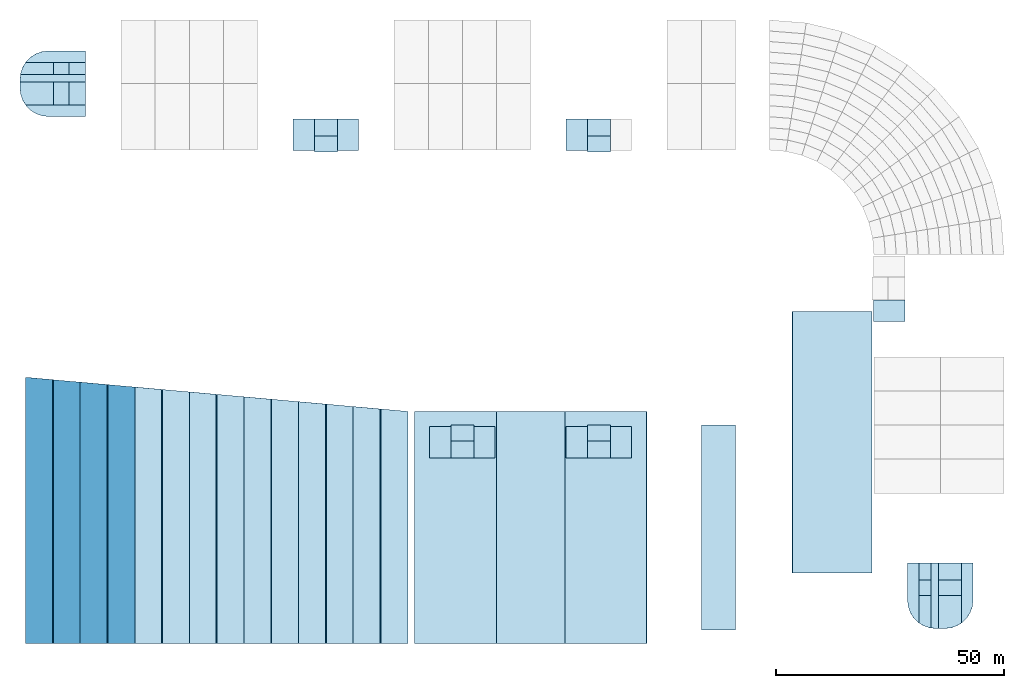
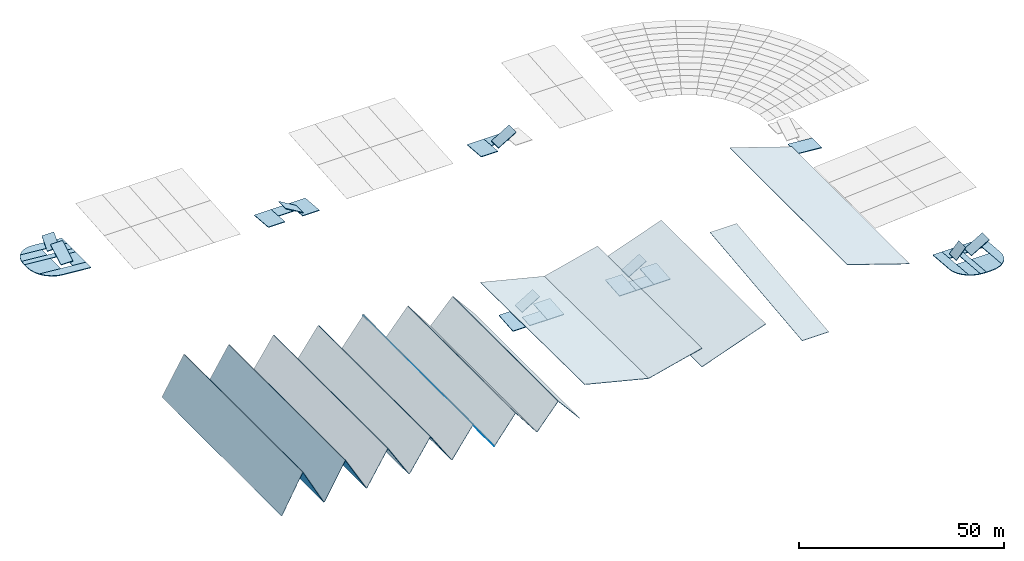
# One storey, part 1 of 6: 53 slabs.
"""IFC4 building model written with IfcOpenShell, lengths in metres."""

from ifc_helpers import new_model, si_unit, direction, frame, origin, place, context, subcontext, project, spatial, polyline, outline, extrude, material, layer, layer_set, type_object, element, save


model = new_model("IFC4")

# Units and contexts
model_context = context("Model", 3, precision=1e-05, world=origin(), true_north=direction((0.0, 1.0)))
body_context = subcontext(model_context, "Body", "Model", "MODEL_VIEW")
ifc_project = project(units=[si_unit("LENGTHUNIT", "METRE"), si_unit("AREAUNIT", "SQUARE_METRE"), si_unit("VOLUMEUNIT", "CUBIC_METRE"), si_unit("PLANEANGLEUNIT", "RADIAN"), si_unit("MASSUNIT", "GRAM", prefix="KILO")], contexts=[model_context])

# Site, building, storey
site_placement = place(None, origin())
site = spatial("IfcSite", under=ifc_project, at=site_placement, CompositionType="ELEMENT")
building_placement = place(site_placement, origin())
building = spatial("IfcBuilding", under=site, at=building_placement, Name="Parallax Yard Mobility Hub", CompositionType="ELEMENT")
storey_placement = place(building_placement, frame((0.0, 0.0, 26.5)))
storey = spatial("IfcBuildingStorey", under=building, at=storey_placement, Name="ROOF", CompositionType="ELEMENT", Elevation=26.5)

# Slabs
ifc_material_1 = material(Name="Concrete fc' 35 MPa", Category="concrete")
ifc_layer_1 = layer(ifc_material_1, 0.199951171875)
ifc_layer_set_1 = layer_set([ifc_layer_1], Name="Core roof slab 200")
slab_type_1 = type_object("IfcSlabType", Name="Core roof slab 200", PredefinedType="ROOF", material=ifc_layer_set_1)
placement = place(building_placement, frame((0.0, 0.0, 13.199951171875)))
slab_1_placement = place(placement, frame((22.199951171875, 120.300048828125, 3.300048828125), z_axis=(0.083051872123, -2.508187e-06, 0.996545225532), x_axis=(-0.996545225535, -1e-11, 0.083051872124)))
element("IfcSlab", 1, at=slab_1_placement, inside=storey, type_object=slab_type_1, Name="Core C-W head-house roof slab part 1", PredefinedType="ROOF", context=body_context, shape_type="SweptSolid", body=[
    extrude(outline(polyline([(0.0, 0.0), (8.228375654326346, 2.117582368135751e-22), (9.612798139986172, -0.15551757816680778), (10.927880893280351, -0.6140136717038265), (12.107507874119005, -1.3525390627768894), (13.092598384128314, -2.3342285158418603), (13.228561027263297, -2.5500488281877822), (-2.5266889247831006e-11, -2.550048828116979), (0.0, 0.0)])), origin(), (0.0, 0.0, -1.0), 0.19921875),
])
slab_2_placement = place(placement, frame((22.199951171875, 125.375, 3.300048828125), z_axis=(0.0, 0.0, 1.0), x_axis=(-1.0, 0.0, 0.0)))
element("IfcSlab", 2, at=slab_2_placement, inside=storey, type_object=slab_type_1, Name="Core C-W head-house roof slab part 2", PredefinedType="ROOF", context=body_context, shape_type="SweptSolid", body=[
    extrude(outline(polyline([(0.0, -0.199951171875), (3.699951171875, 0.1083984375), (3.699951171875, 0.308349609375), (0.0, 0.0), (0.0, -0.199951171875)])), frame((0.0, 2.52490234375, 0.0), z_axis=(0.0, -1.0, 0.0), x_axis=(1.0, 0.0, 0.0)), (0.0, 0.0, 1.0), 5.0498046875),
])
slab_3_placement = place(placement, frame((15.10009765625, 127.89990234375, 3.891845703125), z_axis=(0.083018510975, 5.096327e-06, 0.996548005271), x_axis=(4.23089e-07, -0.999999999987, 5.078734e-06)))
element("IfcSlab", 3, at=slab_3_placement, inside=storey, type_object=slab_type_1, Name="Core C-W head-house roof slab part 3", PredefinedType="ROOF", context=body_context, shape_type="SweptSolid", body=[
    extrude(outline(polyline([(0.0, 0.0), (5.049804687434422, 2.6733443421948163e-22), (5.049804687862981, -6.104086066513654), (4.090087890050629, -6.709186742246398), (2.7795410157510654, -7.169282215914954), (1.3999023438121778, -7.3253371623132875), (8.035729266471565e-11, -7.3253371623132875), (0.0, 0.0)])), origin(), (0.0, 0.0, -1.0), 0.19921875),
])
slab_4_placement = place(placement, frame((7.800048828125, 127.89990234375, 4.5), z_axis=(0.083044866438, -3.1655683e-05, 0.99654580886), x_axis=(2.628842e-06, 0.999999999499, 3.1546338e-05)))
element("IfcSlab", 4, at=slab_4_placement, inside=storey, type_object=slab_type_1, Name="Core C-W head-house roof slab part 4", PredefinedType="ROOF", context=body_context, shape_type="SweptSolid", body=[
    extrude(outline(polyline([(0.0, 0.0), (0.6000976559493264, 2.5415124320691775e-22), (1.6000976586551443, -0.1129304987892619), (1.6000976564503677, -14.449812120696201), (1.002082258501119e-09, -14.449812120696201), (0.0, 0.0)])), origin(), (0.0, 0.0, -1.0), 0.19921875),
])
slab_5_placement = place(placement, frame((22.199951171875, 130.824951171875, 3.300048828125), z_axis=(0.0, 0.0, 1.0), x_axis=(-1.0, 0.0, 0.0)))
element("IfcSlab", 5, at=slab_5_placement, inside=storey, type_object=slab_type_1, Name="Core C-W head-house roof slab part 5", PredefinedType="ROOF", context=body_context, shape_type="SweptSolid", body=[
    extrude(outline(polyline([(0.0, -0.199951171875), (3.699951171875, 0.1083984375), (3.699951171875, 0.308349609375), (0.0, 0.0), (0.0, -0.199951171875)])), frame((0.0, 1.324951171875, 0.0), z_axis=(0.0, -1.0, 0.0), x_axis=(1.0, 0.0, 0.0)), (0.0, 0.0, 1.0), 2.64990234375),
])
slab_6_placement = place(placement, frame((7.91259765625, 129.5, 4.49072265625), z_axis=(0.083017002561, 9.644104e-06, 0.996548130896), x_axis=(0.112477136491, 0.993610043848, -0.009379473923)))
element("IfcSlab", 6, at=slab_6_placement, inside=storey, type_object=slab_type_1, Name="Core C-W head-house roof slab part 6", PredefinedType="ROOF", context=body_context, shape_type="SweptSolid", body=[
    extrude(outline(polyline([(0.0, 0.0), (0.38208014802611573, 9.974659986866641e-18), (1.7361825296452824, -0.30923728691127134), (2.7580629987989256, -0.8021505262956816), (3.4470161532593506, -6.867231750543702), (0.8140465692928289, -7.166319698588756), (0.0, 0.0)])), origin(), (0.0, 0.0, -1.0), 0.19921875),
])
slab_7_placement = place(placement, frame((9.01708984375, 132.14990234375, 4.398681640625), z_axis=(0.083051872123, 2.508187e-06, 0.996545225532), x_axis=(0.531184338304, 0.846098861959, -0.044270921963)))
element("IfcSlab", 7, at=slab_7_placement, inside=storey, type_object=slab_type_1, Name="Core C-W head-house roof slab part 7", PredefinedType="ROOF", context=body_context, shape_type="SweptSolid", body=[
    extrude(outline(polyline([(0.0, 0.0), (0.2550769443704047, 1.0842021724855044e-17), (1.6107621267720047, -0.3102179578717845), (2.8643994697871964, -0.9146457694257794), (3.9533057912943166, -1.7829454520137298), (4.822822215871616, -2.8714088291237316), (9.208760370459181, -9.833428106089544), (7.051166959041562, -11.192670430617461), (0.0, 0.0)])), origin(), (0.0, 0.0, -1.0), 0.19921875),
])
slab_8_placement = place(placement, frame((16.800048828125, 122.85009765625, 5.0), z_axis=(0.0, 0.0, 1.0), x_axis=(0.0, 1.0, 0.0)))
element("IfcSlab", 8, at=slab_8_placement, inside=storey, type_object=slab_type_1, Name="Core C-W raked crown roof slab over lift bank 1", PredefinedType="ROOF", context=body_context, shape_type="SweptSolid", body=[
    extrude(outline(polyline([(0.0, -0.199951171875), (5.0498046875, 2.800048828125), (5.0498046875, 3.0), (0.0, 0.0), (0.0, -0.199951171875)])), frame((0.0, 1.699951171875, 0.0), z_axis=(0.0, -1.0, 0.0), x_axis=(1.0, 0.0, 0.0)), (0.0, 0.0, 1.0), 3.39990234375),
])
slab_9_placement = place(placement, frame((16.800048828125, 129.5, 5.0), z_axis=(0.0, 0.0, 1.0), x_axis=(0.0, 1.0, 0.0)))
element("IfcSlab", 9, at=slab_9_placement, inside=storey, type_object=slab_type_1, Name="Core C-W raked crown roof slab over lift bank 2", PredefinedType="ROOF", context=body_context, shape_type="SweptSolid", body=[
    extrude(outline(polyline([(0.0, -0.199951171875), (2.64990234375, 2.800048828125), (2.64990234375, 3.0), (0.0, 0.0), (0.0, -0.199951171875)])), frame((0.0, 1.699951171875, 0.0), z_axis=(0.0, -1.0, 0.0), x_axis=(1.0, 0.0, 0.0)), (0.0, 0.0, 1.0), 3.39990234375),
])
slab_10_placement = place(placement, frame((79.85009765625, 119.699951171875, 3.300048828125), z_axis=(0.0, 0.0, 1.0), x_axis=(0.0, -1.0, 0.0)))
element("IfcSlab", 10, at=slab_10_placement, inside=storey, type_object=slab_type_1, Name="Core C-N1 head-house roof slab part 1", PredefinedType="ROOF", context=body_context, shape_type="SweptSolid", body=[
    extrude(outline(polyline([(0.0, -0.199951171875), (6.89990234375, 0.375), (6.89990234375, 0.574951171875), (0.0, 0.0), (0.0, -0.199951171875)])), frame((0.0, 2.35009765625, 0.0), z_axis=(0.0, -1.0, 0.0), x_axis=(1.0, 0.0, 0.0)), (0.0, 0.0, 1.0), 4.699951171875),
])
slab_11_placement = place(placement, frame((75.0, 119.699951171875, 3.300048828125), z_axis=(0.0, 0.0, 1.0), x_axis=(0.0, -1.0, 0.0)))
element("IfcSlab", 11, at=slab_11_placement, inside=storey, type_object=slab_type_1, Name="Core C-N1 head-house roof slab part 2", PredefinedType="ROOF", context=body_context, shape_type="SweptSolid", body=[
    extrude(outline(polyline([(0.0, -0.199951171875), (3.699951171875, 0.1083984375), (3.699951171875, 0.308349609375), (0.0, 0.0), (0.0, -0.199951171875)])), frame((0.0, 2.5, 0.0), z_axis=(0.0, -1.0, 0.0), x_axis=(1.0, 0.0, 0.0)), (0.0, 0.0, 1.0), 5.0),
])
slab_12_placement = place(placement, frame((70.14990234375, 119.699951171875, 3.300048828125), z_axis=(0.0, 0.0, 1.0), x_axis=(0.0, -1.0, 0.0)))
element("IfcSlab", 12, at=slab_12_placement, inside=storey, type_object=slab_type_1, Name="Core C-N1 head-house roof slab part 3", PredefinedType="ROOF", context=body_context, shape_type="SweptSolid", body=[
    extrude(outline(polyline([(0.0, -0.199951171875), (6.89990234375, 0.375), (6.89990234375, 0.574951171875), (0.0, 0.0), (0.0, -0.199951171875)])), frame((0.0, 2.35009765625, 0.0), z_axis=(0.0, -1.0, 0.0), x_axis=(1.0, 0.0, 0.0)), (0.0, 0.0, 1.0), 4.699951171875),
])
slab_13_placement = place(placement, frame((77.5, 114.25, 5.0), z_axis=(0.0, 0.0, 1.0), x_axis=(-1.0, 0.0, 0.0)))
element("IfcSlab", 13, at=slab_13_placement, inside=storey, type_object=slab_type_1, Name="Core C-N1 raked crown roof slab over lift bank 1", PredefinedType="ROOF", context=body_context, shape_type="SweptSolid", body=[
    extrude(outline(polyline([(0.0, -0.199951171875), (5.0, 2.800048828125), (5.0, 3.0), (0.0, 0.0), (0.0, -0.199951171875)])), frame((0.0, 1.75, 0.0), z_axis=(0.0, -1.0, 0.0), x_axis=(1.0, 0.0, 0.0)), (0.0, 0.0, 1.0), 3.5),
])
slab_14_placement = place(placement, frame((135.0, 119.699951171875, 3.300048828125), z_axis=(0.0, 0.0, 1.0), x_axis=(0.0, -1.0, 0.0)))
element("IfcSlab", 14, at=slab_14_placement, inside=storey, type_object=slab_type_1, Name="Core C-N2 head-house roof slab part 2", PredefinedType="ROOF", context=body_context, shape_type="SweptSolid", body=[
    extrude(outline(polyline([(0.0, -0.199951171875), (3.699951171875, 0.1083984375), (3.699951171875, 0.308349609375), (0.0, 0.0), (0.0, -0.199951171875)])), frame((0.0, 2.5, 0.0), z_axis=(0.0, -1.0, 0.0), x_axis=(1.0, 0.0, 0.0)), (0.0, 0.0, 1.0), 5.0),
])
slab_15_placement = place(placement, frame((130.14990234375, 119.699951171875, 3.300048828125), z_axis=(0.0, 0.0, 1.0), x_axis=(0.0, -1.0, 0.0)))
element("IfcSlab", 15, at=slab_15_placement, inside=storey, type_object=slab_type_1, Name="Core C-N2 head-house roof slab part 3", PredefinedType="ROOF", context=body_context, shape_type="SweptSolid", body=[
    extrude(outline(polyline([(0.0, -0.199951171875), (6.89990234375, 0.375), (6.89990234375, 0.574951171875), (0.0, 0.0), (0.0, -0.199951171875)])), frame((0.0, 2.35009765625, 0.0), z_axis=(0.0, -1.0, 0.0), x_axis=(1.0, 0.0, 0.0)), (0.0, 0.0, 1.0), 4.699951171875),
])
slab_16_placement = place(placement, frame((132.5, 114.25, 5.0), z_axis=(0.0, 0.0, 1.0), x_axis=(1.0, 0.0, 0.0)))
element("IfcSlab", 16, at=slab_16_placement, inside=storey, type_object=slab_type_1, Name="Core C-N2 raked crown roof slab over lift bank 1", PredefinedType="ROOF", context=body_context, shape_type="SweptSolid", body=[
    extrude(outline(polyline([(0.0, -0.199951171875), (5.0, 2.800048828125), (5.0, 3.0), (0.0, 0.0), (0.0, -0.199951171875)])), frame((0.0, 1.75, 0.0), z_axis=(0.0, -1.0, 0.0), x_axis=(1.0, 0.0, 0.0)), (0.0, 0.0, 1.0), 3.5),
])
slab_17_placement = place(placement, frame((202.199951171875, 77.64990234375, 3.300048828125), z_axis=(0.0, 0.0, 1.0), x_axis=(-1.0, 0.0, 0.0)))
element("IfcSlab", 17, at=slab_17_placement, inside=storey, type_object=slab_type_1, Name="Core C-E head-house roof slab part 1", PredefinedType="ROOF", context=body_context, shape_type="SweptSolid", body=[
    extrude(outline(polyline([(0.0, -0.199951171875), (6.89990234375, 0.375), (6.89990234375, 0.574951171875), (0.0, 0.0), (0.0, -0.199951171875)])), frame((0.0, 2.35009765625, 0.0), z_axis=(0.0, -1.0, 0.0), x_axis=(1.0, 0.0, 0.0)), (0.0, 0.0, 1.0), 4.699951171875),
])
slab_18_placement = place(placement, frame((217.199951171875, 22.199951171875, 3.300048828125), z_axis=(2.508187e-06, 0.083051872123, 0.996545225532), x_axis=(1e-11, -0.996545225535, 0.083051872124)))
element("IfcSlab", 18, at=slab_18_placement, inside=storey, type_object=slab_type_1, Name="Core C-S head-house roof slab part 1", PredefinedType="ROOF", context=body_context, shape_type="SweptSolid", body=[
    extrude(outline(polyline([(0.0, 0.0), (8.228375654326346, 2.117582368135751e-22), (9.612798139986172, -0.15551757816680778), (10.927880893280351, -0.6140136717038265), (12.107507874119005, -1.3525390627768894), (13.092598384128314, -2.3342285158418603), (13.228561027263297, -2.5500488281877822), (-2.5266889247831006e-11, -2.550048828116979), (0.0, 0.0)])), origin(), (0.0, 0.0, -1.0), 0.19921875),
])
slab_19_placement = place(placement, frame((212.125, 22.199951171875, 3.300048828125), z_axis=(0.0, 0.0, 1.0), x_axis=(0.0, -1.0, 0.0)))
element("IfcSlab", 19, at=slab_19_placement, inside=storey, type_object=slab_type_1, Name="Core C-S head-house roof slab part 2", PredefinedType="ROOF", context=body_context, shape_type="SweptSolid", body=[
    extrude(outline(polyline([(0.0, -0.199951171875), (3.699951171875, 0.1083984375), (3.699951171875, 0.308349609375), (0.0, 0.0), (0.0, -0.199951171875)])), frame((0.0, 2.52490234375, 0.0), z_axis=(0.0, -1.0, 0.0), x_axis=(1.0, 0.0, 0.0)), (0.0, 0.0, 1.0), 5.0498046875),
])
slab_20_placement = place(placement, frame((209.60009765625, 15.10009765625, 3.891845703125), z_axis=(-5.096327e-06, 0.083018510975, 0.996548005271), x_axis=(0.999999999987, 4.23089e-07, 5.078734e-06)))
element("IfcSlab", 20, at=slab_20_placement, inside=storey, type_object=slab_type_1, Name="Core C-S head-house roof slab part 3", PredefinedType="ROOF", context=body_context, shape_type="SweptSolid", body=[
    extrude(outline(polyline([(0.0, 0.0), (5.049804687434422, 2.6733443421948163e-22), (5.049804687862981, -6.104086066513654), (4.090087890050629, -6.709186742246398), (2.7795410157510654, -7.169282215914954), (1.3999023438121778, -7.3253371623132875), (8.035729266471565e-11, -7.3253371623132875), (0.0, 0.0)])), origin(), (0.0, 0.0, -1.0), 0.19921875),
])
slab_21_placement = place(placement, frame((209.60009765625, 7.800048828125, 4.5), z_axis=(3.1655683e-05, 0.083044866438, 0.99654580886), x_axis=(-0.999999999499, 2.628842e-06, 3.1546338e-05)))
element("IfcSlab", 21, at=slab_21_placement, inside=storey, type_object=slab_type_1, Name="Core C-S head-house roof slab part 4", PredefinedType="ROOF", context=body_context, shape_type="SweptSolid", body=[
    extrude(outline(polyline([(0.0, 0.0), (0.6000976559493264, 2.5415124320691775e-22), (1.6000976586551443, -0.1129304987892619), (1.6000976564503677, -14.449812120696201), (1.002082258501119e-09, -14.449812120696201), (0.0, 0.0)])), origin(), (0.0, 0.0, -1.0), 0.19921875),
])
slab_22_placement = place(placement, frame((206.675048828125, 22.199951171875, 3.300048828125), z_axis=(0.0, 0.0, 1.0), x_axis=(0.0, -1.0, 0.0)))
element("IfcSlab", 22, at=slab_22_placement, inside=storey, type_object=slab_type_1, Name="Core C-S head-house roof slab part 5", PredefinedType="ROOF", context=body_context, shape_type="SweptSolid", body=[
    extrude(outline(polyline([(0.0, -0.199951171875), (3.699951171875, 0.1083984375), (3.699951171875, 0.308349609375), (0.0, 0.0), (0.0, -0.199951171875)])), frame((0.0, 1.324951171875, 0.0), z_axis=(0.0, -1.0, 0.0), x_axis=(1.0, 0.0, 0.0)), (0.0, 0.0, 1.0), 2.64990234375),
])
slab_23_placement = place(placement, frame((208.0, 7.91259765625, 4.49072265625), z_axis=(-9.644104e-06, 0.083017002561, 0.996548130896), x_axis=(-0.993610043848, 0.112477136491, -0.009379473923)))
element("IfcSlab", 23, at=slab_23_placement, inside=storey, type_object=slab_type_1, Name="Core C-S head-house roof slab part 6", PredefinedType="ROOF", context=body_context, shape_type="SweptSolid", body=[
    extrude(outline(polyline([(0.0, 0.0), (0.38208014802611573, 9.974659986866641e-18), (1.7361825296452824, -0.30923728691127134), (2.7580629987989256, -0.8021505262956816), (3.4470161532593506, -6.867231750543702), (0.8140465692928289, -7.166319698588756), (0.0, 0.0)])), origin(), (0.0, 0.0, -1.0), 0.19921875),
])
slab_24_placement = place(placement, frame((205.35009765625, 9.01708984375, 4.398681640625), z_axis=(-2.508187e-06, 0.083051872123, 0.996545225532), x_axis=(-0.846098861959, 0.531184338304, -0.044270921963)))
element("IfcSlab", 24, at=slab_24_placement, inside=storey, type_object=slab_type_1, Name="Core C-S head-house roof slab part 7", PredefinedType="ROOF", context=body_context, shape_type="SweptSolid", body=[
    extrude(outline(polyline([(0.0, 0.0), (0.2550769443704047, 1.0842021724855044e-17), (1.6107621267720047, -0.3102179578717845), (2.8643994697871964, -0.9146457694257794), (3.9533057912943166, -1.7829454520137298), (4.822822215871616, -2.8714088291237316), (9.208760370459181, -9.833428106089544), (7.051166959041562, -11.192670430617461), (0.0, 0.0)])), origin(), (0.0, 0.0, -1.0), 0.19921875),
])
slab_25_placement = place(placement, frame((209.60009765625, 16.800048828125, 5.0), z_axis=(0.0, 0.0, 1.0), x_axis=(1.0, 0.0, 0.0)))
element("IfcSlab", 25, at=slab_25_placement, inside=storey, type_object=slab_type_1, Name="Core C-S raked crown roof slab over lift bank 1", PredefinedType="ROOF", context=body_context, shape_type="SweptSolid", body=[
    extrude(outline(polyline([(0.0, -0.199951171875), (5.0498046875, 2.800048828125), (5.0498046875, 3.0), (0.0, 0.0), (0.0, -0.199951171875)])), frame((0.0, 1.699951171875, 0.0), z_axis=(0.0, -1.0, 0.0), x_axis=(1.0, 0.0, 0.0)), (0.0, 0.0, 1.0), 3.39990234375),
])
slab_26_placement = place(placement, frame((205.35009765625, 16.800048828125, 5.0), z_axis=(0.0, 0.0, 1.0), x_axis=(1.0, 0.0, 0.0)))
element("IfcSlab", 26, at=slab_26_placement, inside=storey, type_object=slab_type_1, Name="Core C-S raked crown roof slab over lift bank 2", PredefinedType="ROOF", context=body_context, shape_type="SweptSolid", body=[
    extrude(outline(polyline([(0.0, -0.199951171875), (2.64990234375, 2.800048828125), (2.64990234375, 3.0), (0.0, 0.0), (0.0, -0.199951171875)])), frame((0.0, 1.699951171875, 0.0), z_axis=(0.0, -1.0, 0.0), x_axis=(1.0, 0.0, 0.0)), (0.0, 0.0, 1.0), 3.39990234375),
])
slab_27_placement = place(placement, frame((100.14990234375, 45.300048828125, 3.300048828125), z_axis=(0.0, 0.0, 1.0), x_axis=(0.0, 1.0, 0.0)))
element("IfcSlab", 27, at=slab_27_placement, inside=storey, type_object=slab_type_1, Name="Core C6-W head-house roof slab part 1", PredefinedType="ROOF", context=body_context, shape_type="SweptSolid", body=[
    extrude(outline(polyline([(0.0, -0.199951171875), (6.89990234375, 0.375), (6.89990234375, 0.574951171875), (0.0, 0.0), (0.0, -0.199951171875)])), frame((0.0, 2.35009765625, 0.0), z_axis=(0.0, -1.0, 0.0), x_axis=(1.0, 0.0, 0.0)), (0.0, 0.0, 1.0), 4.699951171875),
])
slab_28_placement = place(placement, frame((105.0, 45.300048828125, 3.300048828125), z_axis=(0.0, 0.0, 1.0), x_axis=(0.0, 1.0, 0.0)))
element("IfcSlab", 28, at=slab_28_placement, inside=storey, type_object=slab_type_1, Name="Core C6-W head-house roof slab part 2", PredefinedType="ROOF", context=body_context, shape_type="SweptSolid", body=[
    extrude(outline(polyline([(0.0, -0.199951171875), (3.699951171875, 0.1083984375), (3.699951171875, 0.308349609375), (0.0, 0.0), (0.0, -0.199951171875)])), frame((0.0, 2.5, 0.0), z_axis=(0.0, -1.0, 0.0), x_axis=(1.0, 0.0, 0.0)), (0.0, 0.0, 1.0), 5.0),
])
slab_29_placement = place(placement, frame((109.85009765625, 45.300048828125, 3.300048828125), z_axis=(0.0, 0.0, 1.0), x_axis=(0.0, 1.0, 0.0)))
element("IfcSlab", 29, at=slab_29_placement, inside=storey, type_object=slab_type_1, Name="Core C6-W head-house roof slab part 3", PredefinedType="ROOF", context=body_context, shape_type="SweptSolid", body=[
    extrude(outline(polyline([(0.0, -0.199951171875), (6.89990234375, 0.375), (6.89990234375, 0.574951171875), (0.0, 0.0), (0.0, -0.199951171875)])), frame((0.0, 2.35009765625, 0.0), z_axis=(0.0, -1.0, 0.0), x_axis=(1.0, 0.0, 0.0)), (0.0, 0.0, 1.0), 4.699951171875),
])
slab_30_placement = place(placement, frame((102.5, 50.75, 5.0), z_axis=(0.0, 0.0, 1.0), x_axis=(1.0, 0.0, 0.0)))
element("IfcSlab", 30, at=slab_30_placement, inside=storey, type_object=slab_type_1, Name="Core C6-W raked crown roof slab over lift bank 1", PredefinedType="ROOF", context=body_context, shape_type="SweptSolid", body=[
    extrude(outline(polyline([(0.0, -0.199951171875), (5.0, 2.800048828125), (5.0, 3.0), (0.0, 0.0), (0.0, -0.199951171875)])), frame((0.0, 1.75, 0.0), z_axis=(0.0, -1.0, 0.0), x_axis=(1.0, 0.0, 0.0)), (0.0, 0.0, 1.0), 3.5),
])
slab_31_placement = place(placement, frame((130.14990234375, 45.300048828125, 3.300048828125), z_axis=(0.0, 0.0, 1.0), x_axis=(0.0, 1.0, 0.0)))
element("IfcSlab", 31, at=slab_31_placement, inside=storey, type_object=slab_type_1, Name="Core C6-E head-house roof slab part 1", PredefinedType="ROOF", context=body_context, shape_type="SweptSolid", body=[
    extrude(outline(polyline([(0.0, -0.199951171875), (6.89990234375, 0.375), (6.89990234375, 0.574951171875), (0.0, 0.0), (0.0, -0.199951171875)])), frame((0.0, 2.35009765625, 0.0), z_axis=(0.0, -1.0, 0.0), x_axis=(1.0, 0.0, 0.0)), (0.0, 0.0, 1.0), 4.699951171875),
])
slab_32_placement = place(placement, frame((135.0, 45.300048828125, 3.300048828125), z_axis=(0.0, 0.0, 1.0), x_axis=(0.0, 1.0, 0.0)))
element("IfcSlab", 32, at=slab_32_placement, inside=storey, type_object=slab_type_1, Name="Core C6-E head-house roof slab part 2", PredefinedType="ROOF", context=body_context, shape_type="SweptSolid", body=[
    extrude(outline(polyline([(0.0, -0.199951171875), (3.699951171875, 0.1083984375), (3.699951171875, 0.308349609375), (0.0, 0.0), (0.0, -0.199951171875)])), frame((0.0, 2.5, 0.0), z_axis=(0.0, -1.0, 0.0), x_axis=(1.0, 0.0, 0.0)), (0.0, 0.0, 1.0), 5.0),
])
slab_33_placement = place(placement, frame((139.85009765625, 45.300048828125, 3.300048828125), z_axis=(0.0, 0.0, 1.0), x_axis=(0.0, 1.0, 0.0)))
element("IfcSlab", 33, at=slab_33_placement, inside=storey, type_object=slab_type_1, Name="Core C6-E head-house roof slab part 3", PredefinedType="ROOF", context=body_context, shape_type="SweptSolid", body=[
    extrude(outline(polyline([(0.0, -0.199951171875), (6.89990234375, 0.375), (6.89990234375, 0.574951171875), (0.0, 0.0), (0.0, -0.199951171875)])), frame((0.0, 2.35009765625, 0.0), z_axis=(0.0, -1.0, 0.0), x_axis=(1.0, 0.0, 0.0)), (0.0, 0.0, 1.0), 4.699951171875),
])
slab_34_placement = place(placement, frame((132.5, 50.75, 5.0), z_axis=(0.0, 0.0, 1.0), x_axis=(1.0, 0.0, 0.0)))
element("IfcSlab", 34, at=slab_34_placement, inside=storey, type_object=slab_type_1, Name="Core C6-E raked crown roof slab over lift bank 1", PredefinedType="ROOF", context=body_context, shape_type="SweptSolid", body=[
    extrude(outline(polyline([(0.0, -0.199951171875), (5.0, 2.800048828125), (5.0, 3.0), (0.0, 0.0), (0.0, -0.199951171875)])), frame((0.0, 1.75, 0.0), z_axis=(0.0, -1.0, 0.0), x_axis=(1.0, 0.0, 0.0)), (0.0, 0.0, 1.0), 3.5),
])
ifc_material_2 = material(Name="Steel ASTM A653 Gr 50 deck with insulated sheet", Category="steel")
ifc_layer_2 = layer(ifc_material_2, 0.1201171875)
ifc_layer_set_2 = layer_set([ifc_layer_2], Name="Folded roof plate")
slab_type_2 = type_object("IfcSlabType", Name="Folded roof plate", PredefinedType="ROOF", material=ifc_layer_set_2)
slab_35_placement = place(placement, frame((75.094482421875, 4.5, 11.562744140625), z_axis=(0.793728576606, 0.0, 0.608272099212), x_axis=(0.608272099212, 0.0, -0.793728576606)))
element("IfcSlab", 35, at=slab_35_placement, inside=storey, type_object=slab_type_2, Name="Roof plate plate F12-F13", PredefinedType="ROOF", context=body_context, shape_type="SweptSolid", body=[
    extrude(outline(polyline([(0.0, 0.0), (9.70867739253314, 0.0), (9.70867739253314, 52.0712890625), (0.0, 52.5986328125), (0.0, 0.0)])), origin(), (0.0, 0.0, -1.0), 0.1201171875),
])
slab_36_placement = place(placement, frame((81.0, 4.5, 3.83740234375), z_axis=(-0.766460807991, 0.0, 0.642291078728), x_axis=(0.642291078728, 0.0, 0.766460807991)))
element("IfcSlab", 36, at=slab_36_placement, inside=storey, type_object=slab_type_2, Name="Roof plate plate F13-F14", PredefinedType="ROOF", context=body_context, shape_type="SweptSolid", body=[
    extrude(outline(polyline([(0.0, 0.0), (9.199778328821708, 0.0), (9.199778328821708, 51.543701171875), (0.0, 52.0712890625), (0.0, 0.0)])), origin(), (0.0, 0.0, -1.0), 0.1201171875),
])
slab_37_placement = place(placement, frame((87.091064453125, 4.5, 10.888671875), z_axis=(0.766460807991, 0.0, 0.642291078728), x_axis=(0.642291078728, 0.0, -0.766460807991)))
element("IfcSlab", 37, at=slab_37_placement, inside=storey, type_object=slab_type_2, Name="Roof plate plate F14-F15", PredefinedType="ROOF", context=body_context, shape_type="SweptSolid", body=[
    extrude(outline(polyline([(0.0, 0.0), (9.199778328821708, 0.0), (9.199778328821708, 51.0), (0.0, 51.527587890625), (0.0, 0.0)])), origin(), (0.0, 0.0, -1.0), 0.1201171875),
])
slab_38_placement = place(placement, frame((63.097412109375, 4.5, 12.241943359375), z_axis=(0.817065001471, 0.0, 0.576545560534), x_axis=(0.576545560534, 0.0, -0.817065001471)))
element("IfcSlab", 38, at=slab_38_placement, inside=storey, type_object=slab_type_2, Name="Roof plate plate F10-F11", PredefinedType="ROOF", context=body_context, shape_type="SweptSolid", body=[
    extrude(outline(polyline([(0.0, 0.0), (10.237851602154722, 0.0), (10.237851602154722, 53.142822265625), (0.0, 53.669921875), (0.0, 0.0)])), origin(), (0.0, 0.0, -1.0), 0.1201171875),
])
slab_39_placement = place(placement, frame((69.0, 4.5, 3.856689453125), z_axis=(-0.793728576606, 0.0, 0.608272099212), x_axis=(0.608272099212, 0.0, 0.793728576606)))
element("IfcSlab", 39, at=slab_39_placement, inside=storey, type_object=slab_type_2, Name="Roof plate plate F11-F12", PredefinedType="ROOF", context=body_context, shape_type="SweptSolid", body=[
    extrude(outline(polyline([(0.0, 0.0), (9.70867739253314, 0.0), (9.70867739253314, 52.615478515625014), (0.0, 53.142822265625014), (0.0, 0.0)])), origin(), (0.0, 0.0, -1.0), 0.1201171875),
])
slab_40_placement = place(placement, frame((45.0, 4.5, 3.8974609375), z_axis=(-0.837001523181, 0.0, 0.547200557559), x_axis=(0.547200557559, 0.0, 0.837001523181)))
element("IfcSlab", 40, at=slab_40_placement, inside=storey, type_object=slab_type_2, Name="Roof plate plate F7-F8", PredefinedType="ROOF", context=body_context, shape_type="SweptSolid", body=[
    extrude(outline(polyline([(0.0, 0.0), (10.782420454207253, 0.0), (10.782420454207253, 54.7587890625), (0.0, 55.28564453125), (0.0, 0.0)])), origin(), (0.0, 0.0, -1.0), 0.1201171875),
])
slab_41_placement = place(placement, frame((51.099853515625, 4.5, 12.92236328125), z_axis=(0.837001523181, 0.0, 0.547200557559), x_axis=(0.547200557559, 0.0, -0.837001523181)))
element("IfcSlab", 41, at=slab_41_placement, inside=storey, type_object=slab_type_2, Name="Roof plate plate F8-F9", PredefinedType="ROOF", context=body_context, shape_type="SweptSolid", body=[
    extrude(outline(polyline([(0.0, 0.0), (10.782420454207253, 0.0), (10.782420454207253, 54.21435546875), (0.0, 54.7412109375), (0.0, 0.0)])), origin(), (0.0, 0.0, -1.0), 0.1201171875),
])
slab_42_placement = place(placement, frame((57.0, 4.5, 3.876953125), z_axis=(-0.817065001471, 0.0, 0.576545560534), x_axis=(0.576545560534, 0.0, 0.817065001471)))
element("IfcSlab", 42, at=slab_42_placement, inside=storey, type_object=slab_type_2, Name="Roof plate plate F9-F10", PredefinedType="ROOF", context=body_context, shape_type="SweptSolid", body=[
    extrude(outline(polyline([(0.0, 0.0), (10.237851602154722, 0.0), (10.237851602154722, 53.687255859375), (0.0, 54.21435546875), (0.0, 0.0)])), origin(), (0.0, 0.0, -1.0), 0.1201171875),
])
slab_43_placement = place(placement, frame((27.103759765625, 4.5, 14.283447265625), z_axis=(0.868761302015, 0.0, 0.495231057308), x_axis=(0.495231057308, 0.0, -0.868761302015)))
element("IfcSlab", 43, at=slab_43_placement, inside=storey, type_object=slab_type_2, Name="Roof plate plate F4-F5", PredefinedType="ROOF", context=body_context, shape_type="SweptSolid", body=[
    extrude(outline(polyline([(0.0, 0.0), (11.906038903194778, 0.0), (11.906038903194778, 56.357177734375), (0.0, 56.883544921875), (0.0, 0.0)])), origin(), (0.0, 0.0, -1.0), 0.1201171875),
])
slab_44_placement = place(placement, frame((33.0, 4.5, 3.91845703125), z_axis=(-0.854087112772, 0.0, 0.520129987404), x_axis=(0.520129987404, 0.0, 0.854087112772)))
element("IfcSlab", 44, at=slab_44_placement, inside=storey, type_object=slab_type_2, Name="Roof plate plate F5-F6", PredefinedType="ROOF", context=body_context, shape_type="SweptSolid", body=[
    extrude(outline(polyline([(0.0, 0.0), (11.33937546685939, 0.0), (11.33937546685939, 55.83056640625), (0.0, 56.357177734375), (0.0, 0.0)])), origin(), (0.0, 0.0, -1.0), 0.1201171875),
])
slab_45_placement = place(placement, frame((39.10205078125, 4.5, 13.603271484375), z_axis=(0.854087112772, 0.0, 0.520129987404), x_axis=(0.520129987404, 0.0, -0.854087112772)))
element("IfcSlab", 45, at=slab_45_placement, inside=storey, type_object=slab_type_2, Name="Roof plate plate F6-F7", PredefinedType="ROOF", context=body_context, shape_type="SweptSolid", body=[
    extrude(outline(polyline([(0.0, 0.0), (11.33937546685939, 0.0), (11.33937546685939, 55.28564453125), (0.0, 55.812255859375), (0.0, 0.0)])), origin(), (0.0, 0.0, -1.0), 0.1201171875),
])
slab_46_placement = place(placement, frame((9.0, 4.5, 3.961669921875), z_axis=(-0.881468339258, 0.0, 0.472243122645), x_axis=(0.472243122645, 0.0, 0.881468339258)))
element("IfcSlab", 46, at=slab_46_placement, inside=storey, type_object=slab_type_2, Name="Roof plate plate F1-F2", PredefinedType="ROOF", context=body_context, shape_type="SweptSolid", body=[
    extrude(outline(polyline([(0.0, 0.0), (12.482501296374334, 0.0), (12.482501296374334, 57.9736328125), (0.0, 58.5), (0.0, 0.0)])), origin(), (0.0, 0.0, -1.0), 0.1201171875),
])
slab_47_placement = place(placement, frame((15.105224609375, 4.5, 14.964599609375), z_axis=(0.881468339258, 0.0, 0.472243122645), x_axis=(0.472243122645, 0.0, -0.881468339258)))
element("IfcSlab", 47, at=slab_47_placement, inside=storey, type_object=slab_type_2, Name="Roof plate plate F2-F3", PredefinedType="ROOF", context=body_context, shape_type="SweptSolid", body=[
    extrude(outline(polyline([(0.0, 0.0), (12.482501296374336, 0.0), (12.482501296374336, 57.4287109375), (0.0, 57.954833984375), (0.0, 0.0)])), origin(), (0.0, 0.0, -1.0), 0.1201171875),
])
slab_48_placement = place(placement, frame((21.0, 4.5, 3.93994140625), z_axis=(-0.868761302015, 0.0, 0.495231057308), x_axis=(0.495231057308, 0.0, 0.868761302015)))
element("IfcSlab", 48, at=slab_48_placement, inside=storey, type_object=slab_type_2, Name="Roof plate plate F3-F4", PredefinedType="ROOF", context=body_context, shape_type="SweptSolid", body=[
    extrude(outline(polyline([(0.0, 0.0), (11.906038903194778, 0.0), (11.906038903194778, 56.902099609375), (0.0, 57.4287109375), (0.0, 0.0)])), origin(), (0.0, 0.0, -1.0), 0.1201171875),
])
ifc_layer_3 = layer(ifc_material_2, 0.1201171875)
ifc_layer_set_3 = layer_set([ifc_layer_3], Name="Hall roof plate")
slab_type_3 = type_object("IfcSlabType", Name="Hall roof plate", PredefinedType="ROOF", material=ifc_layer_set_3)
slab_49_placement = place(placement, frame((157.5, 7.5, 2.476318359375), z_axis=(0.0, -0.110431526075, 0.993883734674), x_axis=(1.0, 0.0, 0.0)))
element("IfcSlab", 49, at=slab_49_placement, inside=storey, type_object=slab_type_3, Name="Roof plate monitor over the centre bay", PredefinedType="ROOF", context=body_context, shape_type="SweptSolid", body=[
    extrude(outline(polyline([(0.0, 0.0), (7.5, 0.0), (7.5, 45.27692569068708), (0.0, 45.27692569068708), (0.0, 0.0)])), origin(), (0.0, 0.0, -1.0), 0.1201171875),
])
ifc_layer_4 = layer(ifc_material_2, 0.1201171875)
ifc_layer_set_4 = layer_set([ifc_layer_4], Name="Ramp house roof plate")
slab_type_4 = type_object("IfcSlabType", Name="Ramp house roof plate", PredefinedType="ROOF", material=ifc_layer_set_4)
slab_50_placement = place(placement, frame((177.5, 20.0, 10.53564453125), z_axis=(0.316223795515, 0.0, 0.948684621542), x_axis=(0.948684621542, 0.0, -0.316223795515)))
element("IfcSlab", 50, at=slab_50_placement, inside=storey, type_object=slab_type_4, Name="Roof plate ramp house", PredefinedType="ROOF", context=body_context, shape_type="SweptSolid", body=[
    extrude(outline(polyline([(0.0, 0.0), (18.446593949795627, 0.0), (18.446593949795627, 57.5), (0.0, 57.5), (0.0, 0.0)])), origin(), (0.0, 0.0, -1.0), 0.1201171875),
])
ifc_layer_5 = layer(ifc_material_2, 0.1201171875)
ifc_layer_set_5 = layer_set([ifc_layer_5], Name="Sports deck roof plate")
slab_type_5 = type_object("IfcSlabType", Name="Sports deck roof plate", PredefinedType="ROOF", material=ifc_layer_set_5)
slab_51_placement = place(placement, frame((94.5, 4.5, 13.319580078125), z_axis=(0.242524211964, 0.009701154235, 0.970096847855), x_axis=(0.970142500145, 0.0, -0.242535625036)))
element("IfcSlab", 51, at=slab_51_placement, inside=storey, type_object=slab_type_5, Name="Roof plate court west wing", PredefinedType="ROOF", context=body_context, shape_type="SweptSolid", body=[
    extrude(outline(polyline([(0.0, 0.0), (18.553975315279473, 0.0), (18.677670852559967, 51.002400035440395), (0.12369553728049305, 51.00240003544039), (0.0, 0.0)])), origin(), (0.0, 0.0, -1.0), 0.1201171875),
])
slab_52_placement = place(placement, frame((112.5, 4.5, 8.819580078125), z_axis=(-0.242524211964, 0.009701154235, 0.970096847855), x_axis=(0.970142500145, 0.0, 0.242535625036)))
element("IfcSlab", 52, at=slab_52_placement, inside=storey, type_object=slab_type_5, Name="Roof plate court east wing", PredefinedType="ROOF", context=body_context, shape_type="SweptSolid", body=[
    extrude(outline(polyline([(0.0, 0.0), (15.461646096066227, 0.0), (15.337950558785733, 51.002400035440395), (-0.12369553728049305, 51.002400035440395), (0.0, 0.0)])), origin(), (0.0, 0.0, -1.0), 0.1201171875),
])
slab_53_placement = place(placement, frame((127.5, 4.5, 7.013916015625), z_axis=(-0.338718564476, 0.0, 0.940887737235), x_axis=(0.940887737235, 0.0, 0.338718564476)))
element("IfcSlab", 53, at=slab_53_placement, inside=storey, type_object=slab_type_5, Name="Roof plate pavilion", PredefinedType="ROOF", context=body_context, shape_type="SweptSolid", body=[
    extrude(outline(polyline([(0.0, 0.0), (19.13086895243866, 0.0), (19.13086895243866, 51.0), (0.0, 51.0), (0.0, 0.0)])), origin(), (0.0, 0.0, -1.0), 0.1201171875),
])

save(model, "model.ifc")
